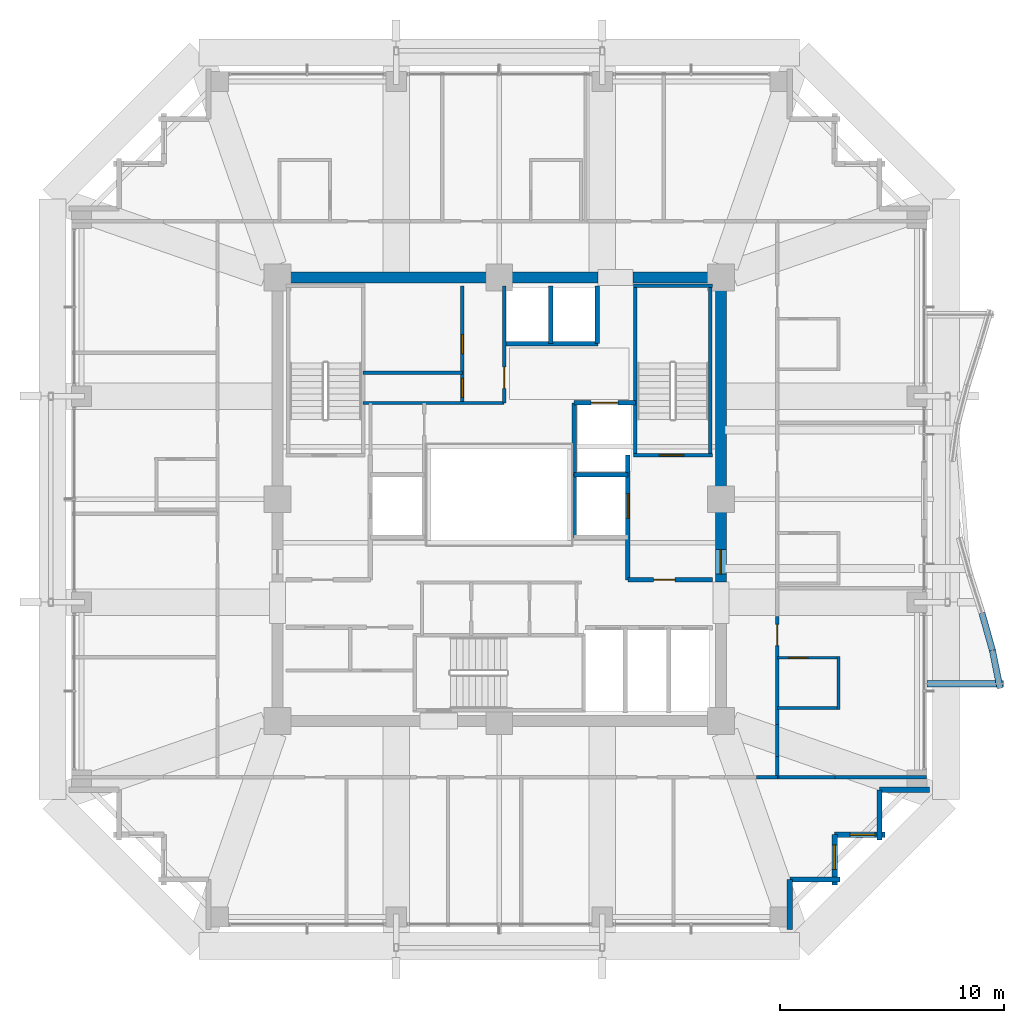
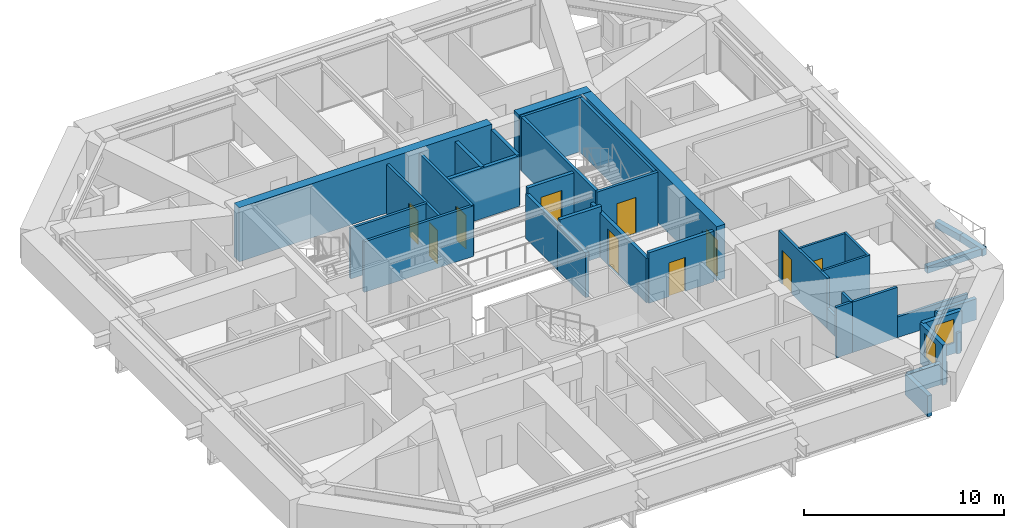
# One storey, part 36 of 40: 38 walls, 10 doors, 2 windows, 12 openings.
"""IFC4 building model written with IfcOpenShell, lengths in metres."""

from ifc_helpers import new_model, si_unit, direction, frame, frame_2d, origin, place, context, subcontext, project, spatial, rectangle, extrude, material, layer, layer_set, type_object, element, fill, save


model = new_model("IFC4")

# Units and contexts
model_context = context("Model", 3, precision=1e-05, world=origin(), true_north=direction((0.0, 1.0)))
body_context = subcontext(model_context, "Body", "Model", "MODEL_VIEW")
ifc_project = project(units=[si_unit("LENGTHUNIT", "METRE"), si_unit("AREAUNIT", "SQUARE_METRE"), si_unit("VOLUMEUNIT", "CUBIC_METRE"), si_unit("PLANEANGLEUNIT", "RADIAN"), si_unit("MASSUNIT", "GRAM", prefix="KILO")], contexts=[model_context])

# Site, building, storey
site_placement = place(None, origin())
site = spatial("IfcSite", under=ifc_project, at=site_placement, CompositionType="ELEMENT")
building_placement = place(site_placement, origin())
building = spatial("IfcBuilding", under=site, at=building_placement, Name="Kolvaren Belvedere", CompositionType="ELEMENT")
storey_placement = place(building_placement, frame((0.0, 0.0, 170.10009765625)))
storey = spatial("IfcBuildingStorey", under=building, at=storey_placement, Name="L49", CompositionType="ELEMENT", Elevation=170.10009765625)

# Walls
ifc_material_1 = material(Name="Concrete C50/60", Category="concrete")
ifc_layer_1 = layer(ifc_material_1, 0.5)
ifc_layer_set_1 = layer_set([ifc_layer_1], Name="Concrete C50/60")
wall_type_1 = type_object("IfcWallType", Name="CW-CORE-500", PredefinedType="SHEAR", material=ifc_layer_set_1)
wall_1_placement = place(storey_placement, frame((-10.14990234375, 9.89990234375, 0.0), z_axis=(0.0, 0.0, 1.0), x_axis=(1.0, 0.0, 0.0)))
element("IfcWall", 1, at=wall_1_placement, inside=storey, type_object=wall_type_1, Name="L49 North Core Shear Wall 1", PredefinedType="SHEAR", context=body_context, shape_type="SweptSolid", body=[
    extrude(rectangle(XDim=14.56982421875, YDim=0.5, at=frame_2d((7.284912109375, 0.0))), origin(), (0.0, 0.0, 1.0), 3.2998046875),
])
wall_2_placement = place(storey_placement, frame((5.97998046875, 9.89990234375, 0.0), z_axis=(0.0, 0.0, 1.0), x_axis=(1.0, 0.0, 0.0)))
element("IfcWall", 2, at=wall_2_placement, inside=storey, type_object=wall_type_1, Name="L49 North Core Shear Wall 2", PredefinedType="SHEAR", context=body_context, shape_type="SweptSolid", body=[
    extrude(rectangle(XDim=4.169921875, YDim=0.5, at=frame_2d((2.0849609375, 0.0))), origin(), (0.0, 0.0, 1.0), 3.2998046875),
])

# Wall, opening, door
wall_3_placement = place(storey_placement, frame((9.89990234375, -3.699951171875, 0.0), z_axis=(0.0, 0.0, 1.0), x_axis=(0.0, 1.0, 0.0)))
wall_3 = element("IfcWall", 3, at=wall_3_placement, inside=storey, type_object=wall_type_1, Name="L49 East Core Shear Wall 2", PredefinedType="SHEAR", context=body_context, shape_type="SweptSolid", body=[
    extrude(rectangle(XDim=13.349853515625, YDim=0.5, at=frame_2d((6.6748046875, 0.0))), origin(), (0.0, 0.0, 1.0), 3.2998046875),
])
opening_1_placement = place(wall_3_placement, frame((0.35009765625, 0.0, 0.0)))
opening_1 = element("IfcOpeningElement", 4, at=opening_1_placement, cuts=wall_3, Name="Opening D-FD90", PredefinedType="OPENING", context=body_context, shape_type="SweptSolid", body=[
    extrude(rectangle(XDim=1.10009765625, YDim=2.199951171875, at=frame_2d((0.550048828125, 1.10009765625))), frame((0.0, 0.260009765625, 0.0), z_axis=(0.0, -1.0, 0.0), x_axis=(1.0, 0.0, 0.0)), (0.0, 0.0, 1.0), 0.52001953125),
])
ifc_material_2 = material(Name="Painted hollow stainless steel", Category="steel")
door_type_1 = type_object("IfcDoorType", Name="DR-FD90-1100", OperationType="NOTDEFINED", PredefinedType="DOOR", material=ifc_material_2)
door_1_placement = place(opening_1_placement, origin())
door_1 = element("IfcDoor", 5, at=door_1_placement, inside=storey, type_object=door_type_1, Name="L49 East Firefighting Lobby Fire Door", OperationType="SINGLE_SWING_RIGHT", OverallHeight=2.199951171875, OverallWidth=1.10009765625, PredefinedType="DOOR", context=body_context, shape_type="SweptSolid", body=[
    extrude(rectangle(XDim=1.10009765625, YDim=2.199951171875, at=frame_2d((0.550048828125, 1.10009765625))), frame((0.0, 0.02490234375, 0.0), z_axis=(0.0, -1.0, 0.0), x_axis=(1.0, 0.0, 0.0)), (0.0, 0.0, 1.0), 0.050048828125),
])
fill(opening_1, door_1)

ifc_material_3 = material(Name="Concrete C50/60", Category="concrete")
ifc_layer_2 = layer(ifc_material_3, 0.159912109375)
ifc_layer_set_2 = layer_set([ifc_layer_2], Name="Concrete C50/60")
wall_type_2 = type_object("IfcWallType", Name="CW-STAIR-160", PredefinedType="SHEAR", material=ifc_layer_set_2)
wall_4_placement = place(storey_placement, frame((6.0, 1.969970703125, 0.0), z_axis=(0.0, 0.0, 1.0), x_axis=(1.0, 0.0, 0.0)))
wall_4 = element("IfcWall", 6, at=wall_4_placement, inside=storey, type_object=wall_type_2, Name="L49 Stair ST-2 South Shear Wall", PredefinedType="SHEAR", context=body_context, shape_type="SweptSolid", body=[
    extrude(rectangle(XDim=3.52001953125, YDim=0.159912109375, at=frame_2d((1.760009765625, 0.0))), origin(), (0.0, 0.0, 1.0), 3.2998046875),
])
opening_2_placement = place(wall_4_placement, frame((1.14990234375, 0.0, 0.0)))
opening_2 = element("IfcOpeningElement", 7, at=opening_2_placement, cuts=wall_4, Name="Opening D-FD90", PredefinedType="OPENING", context=body_context, shape_type="SweptSolid", body=[
    extrude(rectangle(XDim=1.10009765625, YDim=2.199951171875, at=frame_2d((0.550048828125, 1.10009765625))), frame((0.0, 0.08984375, 0.0), z_axis=(0.0, -1.0, 0.0), x_axis=(1.0, 0.0, 0.0)), (0.0, 0.0, 1.0), 0.179931640625),
])
door_2_placement = place(opening_2_placement, origin())
door_2 = element("IfcDoor", 8, at=door_2_placement, inside=storey, type_object=door_type_1, Name="L49 Stair ST-2 Fire Door", OperationType="SINGLE_SWING_RIGHT", OverallHeight=2.199951171875, OverallWidth=1.10009765625, PredefinedType="DOOR", context=body_context, shape_type="SweptSolid", body=[
    extrude(rectangle(XDim=1.10009765625, YDim=2.199951171875, at=frame_2d((0.550048828125, 1.10009765625))), frame((0.0, 0.02490234375, 0.0), z_axis=(0.0, -1.0, 0.0), x_axis=(1.0, 0.0, 0.0)), (0.0, 0.0, 1.0), 0.050048828125),
])
fill(opening_2, door_2)

# Walls
wall_5_placement = place(storey_placement, frame((6.0, 9.530029296875, 0.0), z_axis=(0.0, 0.0, 1.0), x_axis=(1.0, 0.0, 0.0)))
element("IfcWall", 9, at=wall_5_placement, inside=storey, type_object=wall_type_2, Name="L49 Stair ST-2 North Shear Wall", PredefinedType="SHEAR", context=body_context, shape_type="SweptSolid", body=[
    extrude(rectangle(XDim=3.52001953125, YDim=0.159912109375, at=frame_2d((1.760009765625, 0.0))), origin(), (0.0, 0.0, 1.0), 3.2998046875),
])
for number, where, z_axis, x_axis, name in (
    (10, (6.080078125, 1.969970703125, 0.0), (0.0, 0.0, 1.0), (0.0, 1.0, 0.0), "L49 Stair ST-2 West Shear Wall"),
    (11, (9.429931640625, 1.969970703125, 0.0), (0.0, 0.0, 1.0), (0.0, 1.0, 0.0), "L49 Stair ST-2 East Shear Wall"),
):
    element("IfcWall", number, at=place(storey_placement, frame(where, z_axis=z_axis, x_axis=x_axis)), inside=storey, type_object=wall_type_2, Name=name, PredefinedType="SHEAR", context=body_context, shape_type="SweptSolid", body=[
        extrude(rectangle(XDim=7.56005859375, YDim=0.159912109375, at=frame_2d((3.780029296875, 0.0))), origin(), (0.0, 0.0, 1.0), 3.2998046875),
    ])
ifc_material_4 = material(Name="Gypsum fire-rated partition assembly", Category="gypsum")
ifc_layer_3 = layer(ifc_material_4, 0.14990234375)
ifc_layer_set_3 = layer_set([ifc_layer_3], Name="Gypsum fire-rated partition assembly")
wall_type_3 = type_object("IfcWallType", Name="WL-CORR-150", PredefinedType="PARTITIONING", material=ifc_layer_set_3)
for number, where, z_axis, x_axis, name in (
    (12, (11.486083984375, -12.419921875, 0.0), (0.0, 0.0, 1.0), (1.0, 0.0, 0.0), "L49 South Corridor Wall"),
    (13, (12.419921875, -12.419921875, 0.0), (0.0, 0.0, 1.0), (0.0, 1.0, 0.0), "L49 East Corridor Wall"),
):
    element("IfcWall", number, at=place(storey_placement, frame(where, z_axis=z_axis, x_axis=x_axis)), inside=storey, type_object=wall_type_3, Name=name, PredefinedType="PARTITIONING", context=body_context, shape_type="SweptSolid", body=[
        extrude(rectangle(XDim=0.933837890625, YDim=0.14990234375, at=frame_2d((0.466796875, 0.0))), origin(), (0.0, 0.0, 1.0), 3.079833984375),
    ])
wall_6_placement = place(storey_placement, frame((12.419921875, -11.486083984375, 0.0), z_axis=(0.0, 0.0, 1.0), x_axis=(0.0, 1.0, 0.0)))
element("IfcWall", 14, at=wall_6_placement, inside=storey, type_object=wall_type_3, Name="L49 East Corridor Wall", PredefinedType="PARTITIONING", context=body_context, shape_type="SweptSolid", body=[
    extrude(rectangle(XDim=1.416748046875, YDim=0.14990234375, at=frame_2d((0.70849609375, 0.0))), origin(), (0.0, 0.0, 1.0), 1.264892578125),
])

# Wall, opening, door
wall_7_placement = place(storey_placement, frame((12.419921875, -10.0693359375, 0.0), z_axis=(0.0, 0.0, 1.0), x_axis=(0.0, 1.0, 0.0)))
wall_7 = element("IfcWall", 15, at=wall_7_placement, inside=storey, type_object=wall_type_3, Name="L49 East Corridor Wall", PredefinedType="PARTITIONING", context=body_context, shape_type="SweptSolid", body=[
    extrude(rectangle(XDim=4.827392578125, YDim=0.14990234375, at=frame_2d((2.41357421875, 0.0))), origin(), (0.0, 0.0, 1.0), 3.079833984375),
])
opening_3_placement = place(wall_7_placement, frame((3.53173828125, 0.0, 0.0)))
opening_3 = element("IfcOpeningElement", 16, at=opening_3_placement, cuts=wall_7, Name="Opening D-FD60", PredefinedType="OPENING", context=body_context, shape_type="SweptSolid", body=[
    extrude(rectangle(XDim=0.949951171875, YDim=2.06005859375, at=frame_2d((0.47509765625, 1.030029296875))), frame((0.0, 0.0849609375, 0.0), z_axis=(0.0, -1.0, 0.0), x_axis=(1.0, 0.0, 0.0)), (0.0, 0.0, 1.0), 0.169921875),
])
ifc_material_5 = material(Name="Acoustic white-oak fire door leaf", Category="timber")
door_type_2 = type_object("IfcDoorType", Name="DR-FD60-950", OperationType="NOTDEFINED", PredefinedType="DOOR", material=ifc_material_5)
door_3_placement = place(opening_3_placement, origin())
door_3 = element("IfcDoor", 17, at=door_3_placement, inside=storey, type_object=door_type_2, Name="L49 King Guest Room 4904 Entry Door", OperationType="SINGLE_SWING_LEFT", OverallHeight=2.06005859375, OverallWidth=0.949951171875, PredefinedType="DOOR", context=body_context, shape_type="SweptSolid", body=[
    extrude(rectangle(XDim=0.949951171875, YDim=2.06005859375, at=frame_2d((0.47509765625, 1.030029296875))), frame((0.0, 0.02490234375, 0.0), z_axis=(0.0, -1.0, 0.0), x_axis=(1.0, 0.0, 0.0)), (0.0, 0.0, 1.0), 0.050048828125),
])
fill(opening_3, door_3)

# Walls
ifc_material_6 = material(Name="Insulated pale-metal facade wall assembly", Category="aluminium")
ifc_layer_4 = layer(ifc_material_6, 0.239990234375)
ifc_layer_set_4 = layer_set([ifc_layer_4], Name="Insulated pale-metal facade wall assembly")
wall_type_4 = type_object("IfcWallType", Name="WL-EXT-240", PredefinedType="STANDARD", material=ifc_layer_set_4)
for number, where, z_axis, x_axis, name in (
    (18, (12.97998046875, -16.97998046875, 0.0), (0.0, 0.0, 1.0), (0.0, -1.0, 0.0), "L49 Serrated Corner Facade Wall 2"),
    (19, (15.219970703125, -16.97998046875, 0.0), (0.0, 0.0, 1.0), (-1.0, 0.0, 0.0), "L49 Serrated Corner Facade Wall 3"),
):
    element("IfcWall", number, at=place(storey_placement, frame(where, z_axis=z_axis, x_axis=x_axis)), inside=storey, type_object=wall_type_4, Name=name, PredefinedType="STANDARD", context=body_context, shape_type="SweptSolid", body=[
        extrude(rectangle(XDim=2.239990234375, YDim=0.239990234375, at=frame_2d((1.1201171875, 0.0))), origin(), (0.0, 0.0, 1.0), 1.27490234375),
    ])

# Wall, opening, window
wall_8_placement = place(storey_placement, frame((14.97998046875, -14.97998046875, 0.0), z_axis=(0.0, 0.0, 1.0), x_axis=(0.0, -1.0, 0.0)))
wall_8 = element("IfcWall", 20, at=wall_8_placement, inside=storey, type_object=wall_type_4, Name="L49 Serrated Corner Facade Wall 4", PredefinedType="STANDARD", context=body_context, shape_type="SweptSolid", body=[
    extrude(rectangle(XDim=2.239990234375, YDim=0.239990234375, at=frame_2d((1.1201171875, 0.0))), origin(), (0.0, 0.0, 1.0), 2.462890625),
])
opening_4_placement = place(wall_8_placement, frame((0.449951171875, 0.0, 0.64990234375)))
opening_4 = element("IfcOpeningElement", 21, at=opening_4_placement, cuts=wall_8, Name="Opening W-1100", PredefinedType="OPENING", context=body_context, shape_type="SweptSolid", body=[
    extrude(rectangle(XDim=1.10009765625, YDim=1.449951171875, at=frame_2d((0.550048828125, 0.72509765625))), frame((0.0, 0.1298828125, 0.0), z_axis=(0.0, -1.0, 0.0), x_axis=(1.0, 0.0, 0.0)), (0.0, 0.0, 1.0), 0.260009765625),
])
ifc_material_7 = material(Name="Low-iron triple insulated glass", Category="glass")
window_type = type_object("IfcWindowType", Name="WN-CORN-1100", PartitioningType="SINGLE_PANEL", PredefinedType="WINDOW", material=ifc_material_7)
window_1_placement = place(opening_4_placement, origin())
window_1 = element("IfcWindow", 22, at=window_1_placement, inside=storey, type_object=window_type, Name="L49 Serrated Corner Vision Window 4", OverallHeight=1.449951171875, OverallWidth=1.10009765625, PartitioningType="SINGLE_PANEL", PredefinedType="WINDOW", context=body_context, shape_type="SweptSolid", body=[
    extrude(rectangle(XDim=1.10009765625, YDim=1.449951171875, at=frame_2d((0.550048828125, 0.72509765625))), frame((0.0, 0.030029296875, 0.0), z_axis=(0.0, -1.0, 0.0), x_axis=(1.0, 0.0, 0.0)), (0.0, 0.0, 1.0), 0.06005859375),
])
fill(opening_4, window_1)

wall_9_placement = place(storey_placement, frame((17.219970703125, -14.97998046875, 0.0), z_axis=(0.0, 0.0, 1.0), x_axis=(-1.0, 0.0, 0.0)))
wall_9 = element("IfcWall", 23, at=wall_9_placement, inside=storey, type_object=wall_type_4, Name="L49 Serrated Corner Facade Wall 5", PredefinedType="STANDARD", context=body_context, shape_type="SweptSolid", body=[
    extrude(rectangle(XDim=2.239990234375, YDim=0.239990234375, at=frame_2d((1.1201171875, 0.0))), origin(), (0.0, 0.0, 1.0), 2.462890625),
])
opening_5_placement = place(wall_9_placement, frame((0.449951171875, 0.0, 0.64990234375)))
opening_5 = element("IfcOpeningElement", 24, at=opening_5_placement, cuts=wall_9, Name="Opening W-1100", PredefinedType="OPENING", context=body_context, shape_type="SweptSolid", body=[
    extrude(rectangle(XDim=1.10009765625, YDim=1.449951171875, at=frame_2d((0.550048828125, 0.72509765625))), frame((0.0, 0.1298828125, 0.0), z_axis=(0.0, -1.0, 0.0), x_axis=(1.0, 0.0, 0.0)), (0.0, 0.0, 1.0), 0.260009765625),
])
window_2_placement = place(opening_5_placement, origin())
window_2 = element("IfcWindow", 25, at=window_2_placement, inside=storey, type_object=window_type, Name="L49 Serrated Corner Vision Window 5", OverallHeight=1.449951171875, OverallWidth=1.10009765625, PartitioningType="SINGLE_PANEL", PredefinedType="WINDOW", context=body_context, shape_type="SweptSolid", body=[
    extrude(rectangle(XDim=1.10009765625, YDim=1.449951171875, at=frame_2d((0.550048828125, 0.72509765625))), frame((0.0, 0.030029296875, 0.0), z_axis=(0.0, -1.0, 0.0), x_axis=(1.0, 0.0, 0.0)), (0.0, 0.0, 1.0), 0.06005859375),
])
fill(opening_5, window_2)

# Walls
for number, where, z_axis, x_axis, name in (
    (26, (16.97998046875, -12.97998046875, 0.0), (0.0, 0.0, 1.0), (0.0, -1.0, 0.0), "L49 Serrated Corner Facade Wall 6"),
    (27, (19.219970703125, -12.97998046875, 0.0), (0.0, 0.0, 1.0), (-1.0, 0.0, 0.0), "L49 Serrated Corner Facade Wall 7"),
):
    element("IfcWall", number, at=place(storey_placement, frame(where, z_axis=z_axis, x_axis=x_axis)), inside=storey, type_object=wall_type_4, Name=name, PredefinedType="STANDARD", context=body_context, shape_type="SweptSolid", body=[
        extrude(rectangle(XDim=2.239990234375, YDim=0.239990234375, at=frame_2d((1.1201171875, 0.0))), origin(), (0.0, 0.0, 1.0), 1.27490234375),
    ])
ifc_material_8 = material(Name="Gypsum acoustic partition assembly", Category="gypsum")
ifc_layer_5 = layer(ifc_material_8, 0.14990234375)
ifc_layer_set_5 = layer_set([ifc_layer_5], Name="Gypsum acoustic partition assembly")
wall_type_5 = type_object("IfcWallType", Name="WL-PART-150", PredefinedType="PARTITIONING", material=ifc_layer_set_5)
wall_10_placement = place(storey_placement, frame((-6.080078125, 4.300048828125, 0.0), z_axis=(0.0, 0.0, 1.0), x_axis=(1.0, 0.0, 0.0)))
element("IfcWall", 28, at=wall_10_placement, inside=storey, type_object=wall_type_5, Name="L49 Reclaimed Salon South Wall", PredefinedType="PARTITIONING", context=body_context, shape_type="SweptSolid", body=[
    extrude(rectangle(XDim=6.300048828125, YDim=0.14990234375, at=frame_2d((3.14990234375, 0.0))), origin(), (0.0, 0.0, 1.0), 3.079833984375),
])

# Wall, opening, door
wall_11_placement = place(storey_placement, frame((0.219970703125, 4.300048828125, 0.0), z_axis=(0.0, 0.0, 1.0), x_axis=(0.0, 1.0, 0.0)))
wall_11 = element("IfcWall", 29, at=wall_11_placement, inside=storey, type_object=wall_type_5, Name="L49 Reclaimed Salon East Wall", PredefinedType="PARTITIONING", context=body_context, shape_type="SweptSolid", body=[
    extrude(rectangle(XDim=5.219970703125, YDim=0.14990234375, at=frame_2d((2.60986328125, 0.0))), origin(), (0.0, 0.0, 1.0), 3.079833984375),
])
opening_6_placement = place(wall_11_placement, frame((0.64990234375, 0.0, 0.0)))
opening_6 = element("IfcOpeningElement", 30, at=opening_6_placement, cuts=wall_11, Name="Opening D-INT95", PredefinedType="OPENING", context=body_context, shape_type="SweptSolid", body=[
    extrude(rectangle(XDim=0.949951171875, YDim=2.06005859375, at=frame_2d((0.47509765625, 1.030029296875))), frame((0.0, 0.0849609375, 0.0), z_axis=(0.0, -1.0, 0.0), x_axis=(1.0, 0.0, 0.0)), (0.0, 0.0, 1.0), 0.169921875),
])
ifc_material_9 = material(Name="Stained Pacific white oak", Category="timber")
door_type_3 = type_object("IfcDoorType", Name="DR-INT-950", OperationType="NOTDEFINED", PredefinedType="DOOR", material=ifc_material_9)
door_4_placement = place(opening_6_placement, origin())
door_4 = element("IfcDoor", 31, at=door_4_placement, inside=storey, type_object=door_type_3, Name="L49 Wellness Tearoom Door", OperationType="SINGLE_SWING_LEFT", OverallHeight=2.06005859375, OverallWidth=0.949951171875, PredefinedType="DOOR", context=body_context, shape_type="SweptSolid", body=[
    extrude(rectangle(XDim=0.949951171875, YDim=2.06005859375, at=frame_2d((0.47509765625, 1.030029296875))), frame((0.0, 0.02490234375, 0.0), z_axis=(0.0, -1.0, 0.0), x_axis=(1.0, 0.0, 0.0)), (0.0, 0.0, 1.0), 0.050048828125),
])
fill(opening_6, door_4)

# Wall, openings, doors
wall_12_placement = place(storey_placement, frame((-1.64990234375, 4.300048828125, 0.0), z_axis=(0.0, 0.0, 1.0), x_axis=(0.0, 1.0, 0.0)))
wall_12 = element("IfcWall", 32, at=wall_12_placement, inside=storey, type_object=wall_type_5, Name="L49 Reclaimed Tearoom V-Divider", PredefinedType="PARTITIONING", context=body_context, shape_type="SweptSolid", body=[
    extrude(rectangle(XDim=5.219970703125, YDim=0.14990234375, at=frame_2d((2.60986328125, 0.0))), origin(), (0.0, 0.0, 1.0), 3.079833984375),
])
opening_7_placement = place(wall_12_placement, frame((2.199951171875, 0.0, 0.0)))
opening_7 = element("IfcOpeningElement", 33, at=opening_7_placement, cuts=wall_12, Name="Opening D-INT85", PredefinedType="OPENING", context=body_context, shape_type="SweptSolid", body=[
    extrude(rectangle(XDim=0.85009765625, YDim=2.030029296875, at=frame_2d((0.425048828125, 1.01513671875))), frame((0.0, 0.0849609375, 0.0), z_axis=(0.0, -1.0, 0.0), x_axis=(1.0, 0.0, 0.0)), (0.0, 0.0, 1.0), 0.169921875),
])
opening_8_placement = place(wall_12_placement, frame((0.25, 0.0, 0.0)))
opening_8 = element("IfcOpeningElement", 34, at=opening_8_placement, cuts=wall_12, Name="Opening D-INT85", PredefinedType="OPENING", context=body_context, shape_type="SweptSolid", body=[
    extrude(rectangle(XDim=0.85009765625, YDim=2.030029296875, at=frame_2d((0.425048828125, 1.01513671875))), frame((0.0, 0.0849609375, 0.0), z_axis=(0.0, -1.0, 0.0), x_axis=(1.0, 0.0, 0.0)), (0.0, 0.0, 1.0), 0.169921875),
])
ifc_material_10 = material(Name="Stained Pacific white oak", Category="timber")
door_type_4 = type_object("IfcDoorType", Name="DR-INT-850", OperationType="NOTDEFINED", PredefinedType="DOOR", material=ifc_material_10)
door_5_placement = place(opening_7_placement, origin())
door_5 = element("IfcDoor", 35, at=door_5_placement, inside=storey, type_object=door_type_4, Name="L49 Meditation Room Door", OperationType="SINGLE_SWING_RIGHT", OverallHeight=2.030029296875, OverallWidth=0.85009765625, PredefinedType="DOOR", context=body_context, shape_type="SweptSolid", body=[
    extrude(rectangle(XDim=0.85009765625, YDim=2.030029296875, at=frame_2d((0.425048828125, 1.01513671875))), frame((0.0, 0.02490234375, 0.0), z_axis=(0.0, -1.0, 0.0), x_axis=(1.0, 0.0, 0.0)), (0.0, 0.0, 1.0), 0.050048828125),
])
fill(opening_7, door_5)
door_6_placement = place(opening_8_placement, origin())
door_6 = element("IfcDoor", 36, at=door_6_placement, inside=storey, type_object=door_type_4, Name="L49 Herbal Closet Door", OperationType="SINGLE_SWING_RIGHT", OverallHeight=2.030029296875, OverallWidth=0.85009765625, PredefinedType="DOOR", context=body_context, shape_type="SweptSolid", body=[
    extrude(rectangle(XDim=0.85009765625, YDim=2.030029296875, at=frame_2d((0.425048828125, 1.01513671875))), frame((0.0, 0.02490234375, 0.0), z_axis=(0.0, -1.0, 0.0), x_axis=(1.0, 0.0, 0.0)), (0.0, 0.0, 1.0), 0.050048828125),
])
fill(opening_8, door_6)

# Walls
wall_13_placement = place(storey_placement, frame((-6.080078125, 5.64990234375, 0.0), z_axis=(0.0, 0.0, 1.0), x_axis=(1.0, 0.0, 0.0)))
element("IfcWall", 37, at=wall_13_placement, inside=storey, type_object=wall_type_5, Name="L49 Reclaimed Tearoom H-Divider", PredefinedType="PARTITIONING", context=body_context, shape_type="SweptSolid", body=[
    extrude(rectangle(XDim=4.43017578125, YDim=0.14990234375, at=frame_2d((2.215087890625, 0.0))), origin(), (0.0, 0.0, 1.0), 3.079833984375),
])
wall_14_placement = place(storey_placement, frame((12.419921875, -12.419921875, 0.0), z_axis=(0.0, 0.0, 1.0), x_axis=(1.0, 0.0, 0.0)))
element("IfcWall", 38, at=wall_14_placement, inside=storey, type_object=wall_type_5, Name="L49 Wing Divider PW-L49-QSE", PredefinedType="PARTITIONING", context=body_context, shape_type="SweptSolid", body=[
    extrude(rectangle(XDim=2.575439453125, YDim=0.14990234375, at=frame_2d((1.28759765625, 0.0))), origin(), (0.0, 0.0, 1.0), 3.079833984375),
])
wall_15_placement = place(storey_placement, frame((14.995361328125, -12.419921875, 0.0), z_axis=(0.0, 0.0, 1.0), x_axis=(1.0, 0.0, 0.0)))
element("IfcWall", 39, at=wall_15_placement, inside=storey, type_object=wall_type_5, Name="L49 Wing Divider PW-L49-QSE", PredefinedType="PARTITIONING", context=body_context, shape_type="SweptSolid", body=[
    extrude(rectangle(XDim=4.084716796875, YDim=0.14990234375, at=frame_2d((2.04248046875, 0.0))), origin(), (0.0, 0.0, 1.0), 1.264892578125),
])
ifc_material_11 = material(Name="Precast concrete C40/50", Category="concrete")
ifc_layer_6 = layer(ifc_material_11, 0.300048828125)
ifc_layer_set_6 = layer_set([ifc_layer_6], Name="Precast concrete C40/50")
wall_type_6 = type_object("IfcWallType", Name="WL-PLANTER-300", PredefinedType="PARAPET", material=ifc_layer_set_6)
wall_16_placement = place(storey_placement, frame((22.36328125, -8.431884765625, -0.02001953125), z_axis=(0.0, 0.0, 1.0), x_axis=(-0.198799211857, 0.980040240687, 0.0)))
element("IfcWall", 40, at=wall_16_placement, inside=storey, type_object=wall_type_6, Name="L49 Precast Structural Planter Wall BAL-E-1", PredefinedType="PARAPET", context=body_context, shape_type="SweptSolid", body=[
    extrude(rectangle(XDim=1.71435546875, YDim=0.280029296875, at=frame_2d((0.857177734375, 0.0))), origin(), (0.0, 0.0, 1.0), 0.419921875),
])
wall_17_placement = place(storey_placement, frame((22.025146484375, -6.76318359375, -0.02001953125), z_axis=(0.0, 0.0, 1.0), x_axis=(-0.269801210823, 0.962916043401, 0.0)))
element("IfcWall", 41, at=wall_17_placement, inside=storey, type_object=wall_type_6, Name="L49 Precast Structural Planter Wall BAL-E-2", PredefinedType="PARAPET", context=body_context, shape_type="SweptSolid", body=[
    extrude(rectangle(XDim=1.74462890625, YDim=0.280029296875, at=frame_2d((0.872314453125, 0.0))), origin(), (0.0, 0.0, 1.0), 0.419921875),
])
wall_18_placement = place(storey_placement, frame((19.10009765625, -8.239990234375, -0.02001953125), z_axis=(0.0, 0.0, 1.0), x_axis=(1.0, 0.0, 0.0)))
element("IfcWall", 42, at=wall_18_placement, inside=storey, type_object=wall_type_6, Name="L49 Precast Structural Planter Wall BAL-E-22", PredefinedType="PARAPET", context=body_context, shape_type="SweptSolid", body=[
    extrude(rectangle(XDim=3.419921875, YDim=0.280029296875, at=frame_2d((1.7099609375, 0.0))), origin(), (0.0, 0.0, 1.0), 0.419921875),
])

# Wall, opening, door
ifc_material_12 = material(Name="Concrete C50/60", Category="concrete")
ifc_layer_7 = layer(ifc_material_12, 0.199951171875)
ifc_layer_set_7 = layer_set([ifc_layer_7], Name="Concrete C50/60")
wall_type_7 = type_object("IfcWallType", Name="WL-SHAFT-200", PredefinedType="SOLIDWALL", material=ifc_layer_set_7)
wall_19_placement = place(storey_placement, frame((5.75, -3.60009765625, 0.0), z_axis=(0.0, 0.0, 1.0), x_axis=(1.0, 0.0, 0.0)))
wall_19 = element("IfcWall", 43, at=wall_19_placement, inside=storey, type_object=wall_type_7, Name="L49 East FSAE Lobby South Wall", PredefinedType="SOLIDWALL", context=body_context, shape_type="SweptSolid", body=[
    extrude(rectangle(XDim=3.77001953125, YDim=0.199951171875, at=frame_2d((1.885009765625, 0.0))), origin(), (0.0, 0.0, 1.0), 3.079833984375),
])
opening_9_placement = place(wall_19_placement, frame((1.14990234375, 0.0, 0.0)))
opening_9 = element("IfcOpeningElement", 44, at=opening_9_placement, cuts=wall_19, Name="Opening D-FD60", PredefinedType="OPENING", context=body_context, shape_type="SweptSolid", body=[
    extrude(rectangle(XDim=0.949951171875, YDim=2.06005859375, at=frame_2d((0.47509765625, 1.030029296875))), frame((0.0, 0.10986328125, 0.0), z_axis=(0.0, -1.0, 0.0), x_axis=(1.0, 0.0, 0.0)), (0.0, 0.0, 1.0), 0.219970703125),
])
door_7_placement = place(opening_9_placement, origin())
door_7 = element("IfcDoor", 45, at=door_7_placement, inside=storey, type_object=door_type_2, Name="L49 SE Lift Lobby Fire Door", OperationType="SINGLE_SWING_RIGHT", OverallHeight=2.06005859375, OverallWidth=0.949951171875, PredefinedType="DOOR", context=body_context, shape_type="SweptSolid", body=[
    extrude(rectangle(XDim=0.949951171875, YDim=2.06005859375, at=frame_2d((0.47509765625, 1.030029296875))), frame((0.0, 0.02490234375, 0.0), z_axis=(0.0, -1.0, 0.0), x_axis=(1.0, 0.0, 0.0)), (0.0, 0.0, 1.0), 0.050048828125),
])
fill(opening_9, door_7)

wall_20_placement = place(storey_placement, frame((5.75, -3.60009765625, 0.0), z_axis=(0.0, 0.0, 1.0), x_axis=(0.0, 1.0, 0.0)))
wall_20 = element("IfcWall", 46, at=wall_20_placement, inside=storey, type_object=wall_type_7, Name="L49 FSAE FS2 Landing Wall", PredefinedType="SOLIDWALL", context=body_context, shape_type="SweptSolid", body=[
    extrude(rectangle(XDim=5.570068359375, YDim=0.199951171875, at=frame_2d((2.78515625, 0.0))), origin(), (0.0, 0.0, 1.0), 2.71484375),
])
opening_10_placement = place(wall_20_placement, frame((2.75, 0.0, 0.0)))
opening_10 = element("IfcOpeningElement", 47, at=opening_10_placement, cuts=wall_20, Name="Opening LD-11", PredefinedType="OPENING", context=body_context, shape_type="SweptSolid", body=[
    extrude(rectangle(XDim=1.10009765625, YDim=2.199951171875, at=frame_2d((0.550048828125, 1.10009765625))), frame((0.0, 0.10986328125, 0.0), z_axis=(0.0, -1.0, 0.0), x_axis=(1.0, 0.0, 0.0)), (0.0, 0.0, 1.0), 0.219970703125),
])
ifc_material_13 = material(Name="Brushed stainless steel", Category="steel")
door_type_5 = type_object("IfcDoorType", Name="DR-LIFT-1100", OperationType="DOUBLE_DOOR_SLIDING", PredefinedType="DOOR", material=ifc_material_13)
door_8_placement = place(opening_10_placement, origin())
door_8 = element("IfcDoor", 48, at=door_8_placement, inside=storey, type_object=door_type_5, Name="L49 Firefighting Lift FS2 Landing Door", OperationType="DOUBLE_DOOR_SLIDING", OverallHeight=2.199951171875, OverallWidth=1.10009765625, PredefinedType="DOOR", context=body_context, shape_type="SweptSolid", body=[
    extrude(rectangle(XDim=1.10009765625, YDim=2.199951171875, at=frame_2d((0.550048828125, 1.10009765625))), frame((0.0, 0.02490234375, 0.0), z_axis=(0.0, -1.0, 0.0), x_axis=(1.0, 0.0, 0.0)), (0.0, 0.0, 1.0), 0.050048828125),
])
fill(opening_10, door_8)

# Walls
wall_21_placement = place(storey_placement, frame((3.35009765625, -1.699951171875, 0.0), z_axis=(0.0, 0.0, 1.0), x_axis=(0.0, 1.0, 0.0)))
element("IfcWall", 49, at=wall_21_placement, inside=storey, type_object=wall_type_7, Name="L49 FSAE FS2 Back Wall", PredefinedType="SOLIDWALL", context=body_context, shape_type="SweptSolid", body=[
    extrude(rectangle(XDim=2.800048828125, YDim=0.199951171875, at=frame_2d((1.39990234375, 0.0))), origin(), (0.0, 0.0, 1.0), 2.71484375),
])
wall_22_placement = place(storey_placement, frame((3.35009765625, 1.10009765625, 0.0), z_axis=(0.0, 0.0, 1.0), x_axis=(1.0, 0.0, 0.0)))
element("IfcWall", 50, at=wall_22_placement, inside=storey, type_object=wall_type_7, Name="L49 FSAE FS2 North Wall", PredefinedType="SOLIDWALL", context=body_context, shape_type="SweptSolid", body=[
    extrude(rectangle(XDim=2.39990234375, YDim=0.199951171875, at=frame_2d((1.199951171875, 0.0))), origin(), (0.0, 0.0, 1.0), 3.079833984375),
])

# Wall, opening, door
wall_23_placement = place(storey_placement, frame((3.35009765625, 4.300048828125, 0.0), z_axis=(0.0, 0.0, 1.0), x_axis=(1.0, 0.0, 0.0)))
wall_23 = element("IfcWall", 51, at=wall_23_placement, inside=storey, type_object=wall_type_7, Name="L49 Service Lift SV1 Front Wall", PredefinedType="SOLIDWALL", context=body_context, shape_type="SweptSolid", body=[
    extrude(rectangle(XDim=2.72998046875, YDim=0.199951171875, at=frame_2d((1.364990234375, 0.0))), origin(), (0.0, 0.0, 1.0), 3.079833984375),
])
opening_11_placement = place(wall_23_placement, frame((0.75, 0.0, 0.0)))
opening_11 = element("IfcOpeningElement", 52, at=opening_11_placement, cuts=wall_23, Name="Opening LD-12", PredefinedType="OPENING", context=body_context, shape_type="SweptSolid", body=[
    extrude(rectangle(XDim=1.199951171875, YDim=2.25, at=frame_2d((0.60009765625, 1.125))), frame((0.0, 0.10986328125, 0.0), z_axis=(0.0, -1.0, 0.0), x_axis=(1.0, 0.0, 0.0)), (0.0, 0.0, 1.0), 0.219970703125),
])
ifc_material_14 = material(Name="Brushed stainless steel", Category="steel")
door_type_6 = type_object("IfcDoorType", Name="DR-LIFT-1200", OperationType="DOUBLE_DOOR_SLIDING", PredefinedType="DOOR", material=ifc_material_14)
door_9_placement = place(opening_11_placement, origin())
door_9 = element("IfcDoor", 53, at=door_9_placement, inside=storey, type_object=door_type_6, Name="L49 Service Lift SV1 Landing Door", OperationType="DOUBLE_DOOR_SLIDING", OverallHeight=2.25, OverallWidth=1.199951171875, PredefinedType="DOOR", context=body_context, shape_type="SweptSolid", body=[
    extrude(rectangle(XDim=1.199951171875, YDim=2.25, at=frame_2d((0.60009765625, 1.125))), frame((0.0, 0.02490234375, 0.0), z_axis=(0.0, -1.0, 0.0), x_axis=(1.0, 0.0, 0.0)), (0.0, 0.0, 1.0), 0.050048828125),
])
fill(opening_11, door_9)

# Walls
wall_24_placement = place(storey_placement, frame((3.35009765625, 1.10009765625, 0.0), z_axis=(0.0, 0.0, 1.0), x_axis=(0.0, 1.0, 0.0)))
element("IfcWall", 54, at=wall_24_placement, inside=storey, type_object=wall_type_7, Name="L49 Service Lift SV1 West Wall", PredefinedType="SOLIDWALL", context=body_context, shape_type="SweptSolid", body=[
    extrude(rectangle(XDim=3.199951171875, YDim=0.199951171875, at=frame_2d((1.60009765625, 0.0))), origin(), (0.0, 0.0, 1.0), 2.71484375),
])
wall_25_placement = place(storey_placement, frame((0.219970703125, 6.949951171875, 0.0), z_axis=(0.0, 0.0, 1.0), x_axis=(1.0, 0.0, 0.0)))
element("IfcWall", 55, at=wall_25_placement, inside=storey, type_object=wall_type_7, Name="L49 Express Shuttle Hoistway Wall", PredefinedType="SOLIDWALL", context=body_context, shape_type="SweptSolid", body=[
    extrude(rectangle(XDim=4.179931640625, YDim=0.199951171875, at=frame_2d((2.08984375, 0.0))), origin(), (0.0, 0.0, 1.0), 3.079833984375),
])
for number, where, z_axis, x_axis, name in (
    (56, (4.3798828125, 6.949951171875, 0.0), (0.0, 0.0, 1.0), (0.0, 1.0, 0.0), "L49 Express Shuttle East Wall"),
    (57, (2.31005859375, 6.949951171875, 0.0), (0.0, 0.0, 1.0), (0.0, 1.0, 0.0), "L49 Express Shuttle Divider"),
):
    element("IfcWall", number, at=place(storey_placement, frame(where, z_axis=z_axis, x_axis=x_axis)), inside=storey, type_object=wall_type_7, Name=name, PredefinedType="SOLIDWALL", context=body_context, shape_type="SweptSolid", body=[
        extrude(rectangle(XDim=2.570068359375, YDim=0.199951171875, at=frame_2d((1.28515625, 0.0))), origin(), (0.0, 0.0, 1.0), 3.079833984375),
    ])

# Wall, opening, door
ifc_material_15 = material(Name="Moisture-resistant gypsum partition", Category="gypsum")
ifc_layer_8 = layer(ifc_material_15, 0.125)
ifc_layer_set_8 = layer_set([ifc_layer_8], Name="Moisture-resistant gypsum partition")
wall_type_8 = type_object("IfcWallType", Name="WL-WET-125", PredefinedType="PARTITIONING", material=ifc_layer_set_8)
wall_26_placement = place(storey_placement, frame((12.43505859375, -7.074951171875, 0.0), z_axis=(0.0, 0.0, 1.0), x_axis=(1.0, 0.0, 0.0)))
wall_26 = element("IfcWall", 58, at=wall_26_placement, inside=storey, type_object=wall_type_8, Name="L49 Bathroom Partition PW-L49-BTH-4-N", PredefinedType="PARTITIONING", context=body_context, shape_type="SweptSolid", body=[
    extrude(rectangle(XDim=2.7900390625, YDim=0.125, at=frame_2d((1.39501953125, 0.0))), origin(), (0.0, 0.0, 1.0), 3.079833984375),
])
opening_12_placement = place(wall_26_placement, frame((0.5, 0.0, 0.0)))
opening_12 = element("IfcOpeningElement", 59, at=opening_12_placement, cuts=wall_26, Name="Opening D-BTH85", PredefinedType="OPENING", context=body_context, shape_type="SweptSolid", body=[
    extrude(rectangle(XDim=0.85009765625, YDim=2.030029296875, at=frame_2d((0.425048828125, 1.01513671875))), frame((0.0, 0.072509765625, 0.0), z_axis=(0.0, -1.0, 0.0), x_axis=(1.0, 0.0, 0.0)), (0.0, 0.0, 1.0), 0.14501953125),
])
ifc_material_16 = material(Name="Moisture-sealed Pacific white oak", Category="timber")
door_type_7 = type_object("IfcDoorType", Name="DR-BATH-850", OperationType="NOTDEFINED", PredefinedType="DOOR", material=ifc_material_16)
door_10_placement = place(opening_12_placement, origin())
door_10 = element("IfcDoor", 60, at=door_10_placement, inside=storey, type_object=door_type_7, Name="L49 En-Suite Bathroom 4904 Door", OperationType="SINGLE_SWING_RIGHT", OverallHeight=2.030029296875, OverallWidth=0.85009765625, PredefinedType="DOOR", context=body_context, shape_type="SweptSolid", body=[
    extrude(rectangle(XDim=0.85009765625, YDim=2.030029296875, at=frame_2d((0.425048828125, 1.01513671875))), frame((0.0, 0.02490234375, 0.0), z_axis=(0.0, -1.0, 0.0), x_axis=(1.0, 0.0, 0.0)), (0.0, 0.0, 1.0), 0.050048828125),
])
fill(opening_12, door_10)

# Walls
wall_27_placement = place(storey_placement, frame((15.14501953125, -9.385009765625, 0.0), z_axis=(0.0, 0.0, 1.0), x_axis=(0.0, 1.0, 0.0)))
element("IfcWall", 61, at=wall_27_placement, inside=storey, type_object=wall_type_8, Name="L49 Bathroom Partition PW-L49-BTH-4-V", PredefinedType="PARTITIONING", context=body_context, shape_type="SweptSolid", body=[
    extrude(rectangle(XDim=2.3701171875, YDim=0.125, at=frame_2d((1.18505859375, 0.0))), origin(), (0.0, 0.0, 1.0), 3.079833984375),
])
wall_28_placement = place(storey_placement, frame((12.43505859375, -9.324951171875, 0.0), z_axis=(0.0, 0.0, 1.0), x_axis=(1.0, 0.0, 0.0)))
element("IfcWall", 62, at=wall_28_placement, inside=storey, type_object=wall_type_8, Name="L49 Bathroom Partition PW-L49-BTH-4-S", PredefinedType="PARTITIONING", context=body_context, shape_type="SweptSolid", body=[
    extrude(rectangle(XDim=2.7900390625, YDim=0.125, at=frame_2d((1.39501953125, 0.0))), origin(), (0.0, 0.0, 1.0), 3.079833984375),
])

save(model, "model.ifc")
